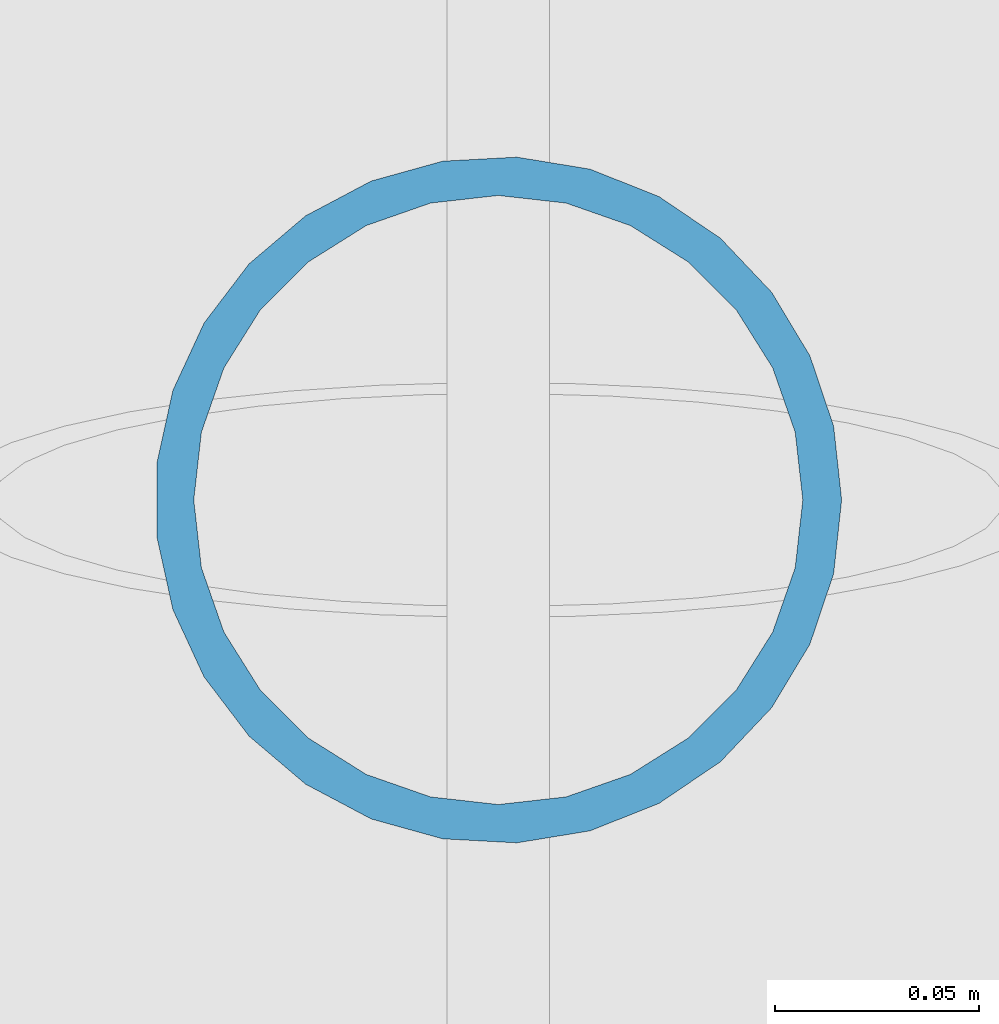
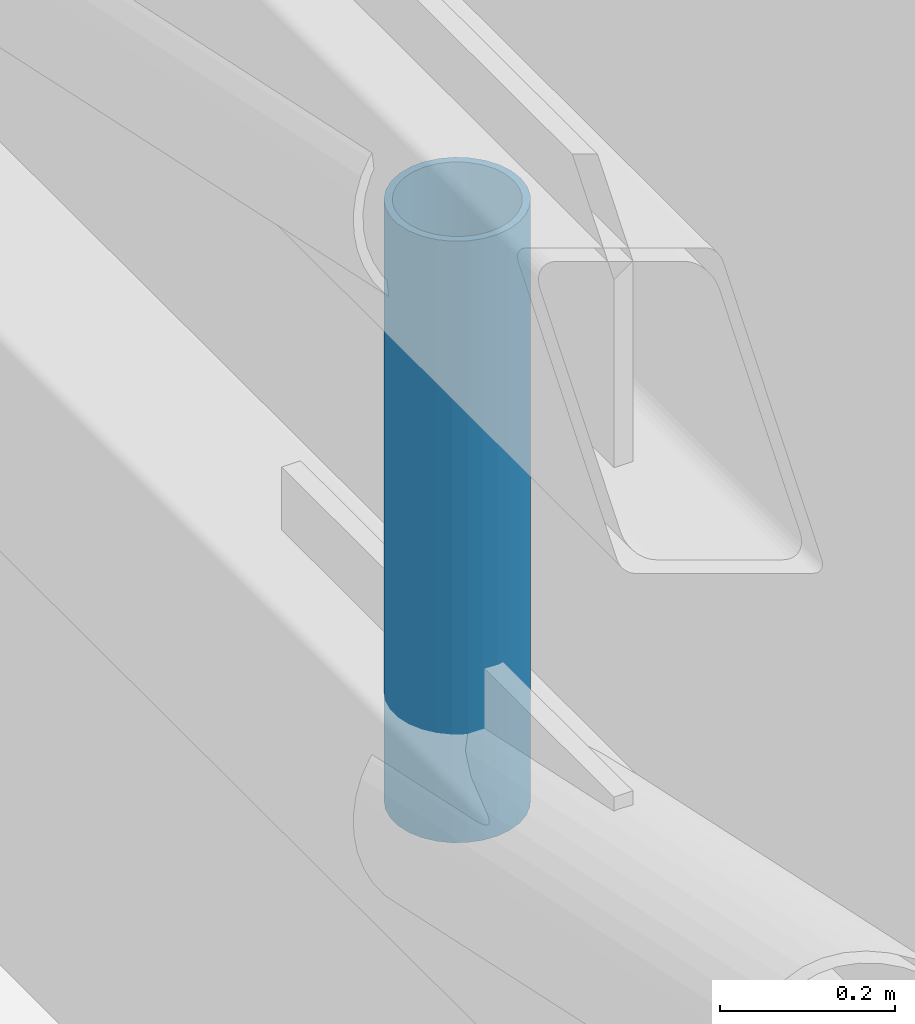
# One storey, part 56 of 81: 1 member.
"""IFC4 building model written with IfcOpenShell, lengths in metres."""

from ifc_helpers import new_model, si_unit, direction, frame, origin_with_axes, origin_2d_with_axis, place, context, subcontext, project, spatial, hollow_circle, extrude, material, material_profile, profile_set, type_object, element, save


model = new_model("IFC4")

# Units and contexts
model_context = context("Model", 3, precision=1e-05, world=origin_with_axes(), true_north=direction((0.0, 1.0)))
body_context = subcontext(model_context, "Body", "Model", "MODEL_VIEW")
ifc_project = project(units=[si_unit("LENGTHUNIT", "METRE"), si_unit("AREAUNIT", "SQUARE_METRE"), si_unit("VOLUMEUNIT", "CUBIC_METRE"), si_unit("PLANEANGLEUNIT", "RADIAN"), si_unit("MASSUNIT", "GRAM", prefix="KILO"), si_unit("THERMODYNAMICTEMPERATUREUNIT", "KELVIN")], contexts=[model_context])

# Site, building, storey
site_placement = place(None, origin_with_axes())
site = spatial("IfcSite", under=ifc_project, at=site_placement, CompositionType="ELEMENT")
building_placement = place(site_placement, origin_with_axes())
building = spatial("IfcBuilding", under=site, at=building_placement, Name="Montbau Bow Law Courts", CompositionType="ELEMENT")
storey_placement = place(building_placement, frame((0.0, 0.0, 24.9), z_axis=(0.0, 0.0, 1.0), x_axis=(1.0, 0.0, 0.0)))
storey = spatial("IfcBuildingStorey", under=building, at=storey_placement, Name="L05", CompositionType="ELEMENT", Elevation=24.9)

# Member
ifc_material = material(Name="Steel CSA G40.21 Grade 350W (350 MPa)", Category="steel")
ifc_material_profile = material_profile(ifc_material, hollow_circle(Radius=0.084, WallThickness=0.0095, at=origin_2d_with_axis()), Name="HSS168X9.5", Category="Main", Priority=0)
ifc_profile_set = profile_set([ifc_material_profile], Name="Steel CSA G40.21 Grade 350W (350 MPa)")
member_type = type_object("IfcMemberType", Name="M-STR-01", PredefinedType="STRUT", material=ifc_profile_set)
member_placement = place(None, frame((39.0, 58.5, 27.36), z_axis=(0.0, 0.0, 1.0), x_axis=(1.0, 0.0, 0.0)))
element("IfcMember", 1, at=member_placement, inside=storey, type_object=member_type, Name="STR-L05-05:mbr_0020", PredefinedType="STRUT", context=body_context, shape_type="SweptSolid", body=[
    extrude(hollow_circle(Radius=0.084, WallThickness=0.0095, at=origin_2d_with_axis()), origin_with_axes(), (0.0, 0.0, 1.0), 0.84),
])

save(model, "model.ifc")
